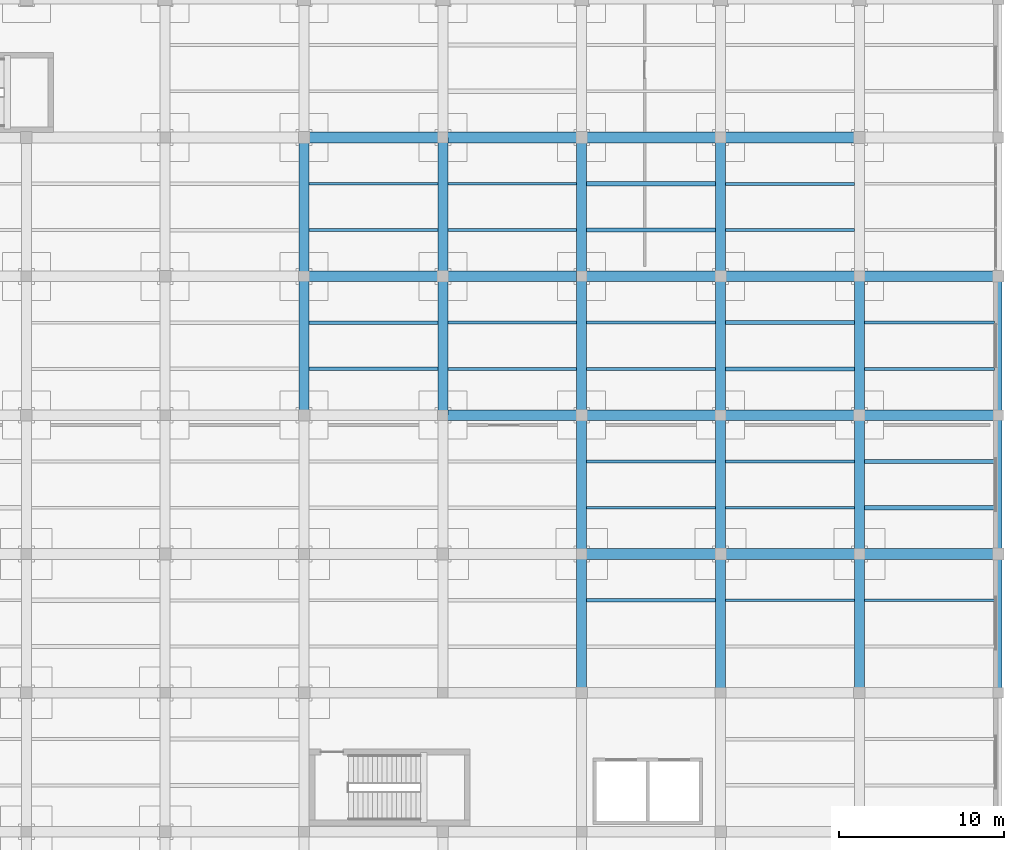
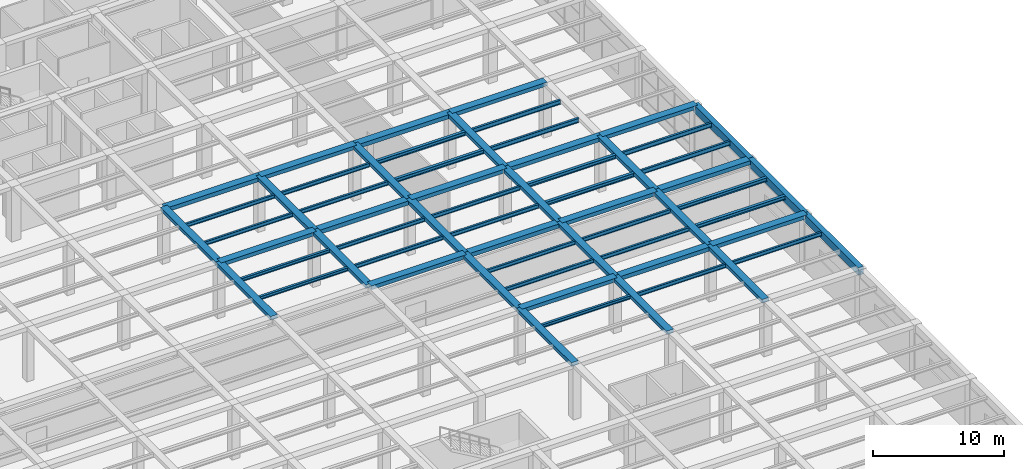
# One storey, part 53 of 96: 61 beams.
"""IFC4 building model written with IfcOpenShell, lengths in metres."""

from ifc_helpers import new_model, si_unit, direction, frame, origin, origin_2d, place, context, subcontext, project, spatial, rectangle, i_section, extrude, material, material_profile, profile_set, type_object, element, save


model = new_model("IFC4")

# Units and contexts
model_context = context("Model", 3, precision=1e-05, world=origin(), true_north=direction((0.0, 1.0)))
body_context = subcontext(model_context, "Body", "Model", "MODEL_VIEW")
ifc_project = project(units=[si_unit("LENGTHUNIT", "METRE"), si_unit("AREAUNIT", "SQUARE_METRE"), si_unit("VOLUMEUNIT", "CUBIC_METRE"), si_unit("PLANEANGLEUNIT", "RADIAN"), si_unit("MASSUNIT", "GRAM", prefix="KILO")], contexts=[model_context])

# Site, building, storey
site_placement = place(None, origin())
site = spatial("IfcSite", under=ifc_project, at=site_placement, CompositionType="ELEMENT")
building_placement = place(site_placement, origin())
building = spatial("IfcBuilding", under=site, at=building_placement, Name="Almacenes y Pasaje Nevantli", CompositionType="ELEMENT")
storey_placement = place(building_placement, frame((0.0, 0.0, 6.0)))
storey = spatial("IfcBuildingStorey", under=building, at=storey_placement, Name="L02", CompositionType="ELEMENT", Elevation=6.0)

# Beams
ifc_material_1 = material(Name="Concrete C35/45", Category="concrete")
ifc_material_profile_1 = material_profile(ifc_material_1, rectangle(XDim=0.449951171875, YDim=0.699951171875, at=origin_2d()), Name="RC-BM-450x700")
ifc_profile_set_1 = profile_set([ifc_material_profile_1], Name="Concrete C35/45")
beam_type_1 = type_object("IfcBeamType", Name="BM-RC-450x700", PredefinedType="SPANDREL", material=ifc_profile_set_1)
beam_1_placement = place(storey_placement, frame((168.0, 25.199951171875, 4.75), z_axis=(0.0, 1.0, 0.0), x_axis=(-1.0, 0.0, 0.0)))
element("IfcBeam", 1, at=beam_1_placement, inside=storey, type_object=beam_type_1, Name="L02 North-South Reinforced Concrete Beam #2192", PredefinedType="SPANDREL", context=body_context, shape_type="SweptSolid", body=[
    extrude(rectangle(XDim=0.449951171875, YDim=0.699951171875, at=origin_2d()), origin(), (0.0, 0.0, 1.0), 8.400146484375),
])
for number, where, z_axis, x_axis, name in (
    (2, (168.0, 33.60009765625, 4.75), (0.0, 1.0, 0.0), (-1.0, 0.0, 0.0), "L02 North-South Reinforced Concrete Beam #2193"),
    (3, (168.0, 42.0, 4.75), (0.0, 1.0, 0.0), (-1.0, 0.0, 0.0), "L02 North-South Reinforced Concrete Beam #2194"),
):
    element("IfcBeam", number, at=place(storey_placement, frame(where, z_axis=z_axis, x_axis=x_axis)), inside=storey, type_object=beam_type_1, Name=name, PredefinedType="SPANDREL", context=body_context, shape_type="SweptSolid", body=[
        extrude(rectangle(XDim=0.449951171875, YDim=0.699951171875, at=origin_2d()), origin(), (0.0, 0.0, 1.0), 8.39990234375),
    ])
ifc_material_2 = material(Name="Concrete C35/45", Category="concrete")
ifc_material_profile_2 = material_profile(ifc_material_2, rectangle(XDim=0.60009765625, YDim=0.320068359375, at=origin_2d()), Name="RC-BM-600x320")
ifc_profile_set_2 = profile_set([ifc_material_profile_2], Name="Concrete C35/45")
beam_type_2 = type_object("IfcBeamType", Name="BM-RC-600x320", PredefinedType="BEAM", material=ifc_profile_set_2)
beam_2_placement = place(storey_placement, frame((126.0, 50.39990234375, 4.93994140625), z_axis=(0.0, 1.0, 0.0), x_axis=(-1.0, 0.0, 0.0)))
element("IfcBeam", 4, at=beam_2_placement, inside=storey, type_object=beam_type_2, Name="L02 North-South Reinforced Concrete Beam #2129", PredefinedType="BEAM", context=body_context, shape_type="SweptSolid", body=[
    extrude(rectangle(XDim=0.60009765625, YDim=0.320068359375, at=origin_2d()), origin(), (0.0, 0.0, 1.0), 8.400146484375),
])
for number, where, z_axis, x_axis, name in (
    (5, (134.39990234375, 42.0, 4.93994140625), (0.0, 1.0, 0.0), (-1.0, 0.0, 0.0), "L02 North-South Reinforced Concrete Beam #2140"),
    (6, (142.800048828125, 33.60009765625, 4.93994140625), (0.0, 1.0, 0.0), (-1.0, 0.0, 0.0), "L02 North-South Reinforced Concrete Beam #2152"),
):
    element("IfcBeam", number, at=place(storey_placement, frame(where, z_axis=z_axis, x_axis=x_axis)), inside=storey, type_object=beam_type_2, Name=name, PredefinedType="BEAM", context=body_context, shape_type="SweptSolid", body=[
        extrude(rectangle(XDim=0.60009765625, YDim=0.320068359375, at=origin_2d()), origin(), (0.0, 0.0, 1.0), 8.39990234375),
    ])
for number, where, z_axis, x_axis, name in (
    (7, (142.800048828125, 50.39990234375, 4.93994140625), (0.0, 1.0, 0.0), (-1.0, 0.0, 0.0), "L02 North-South Reinforced Concrete Beam #2154"),
    (8, (151.199951171875, 25.199951171875, 4.93994140625), (0.0, 1.0, 0.0), (-1.0, 0.0, 0.0), "L02 North-South Reinforced Concrete Beam #2165"),
):
    element("IfcBeam", number, at=place(storey_placement, frame(where, z_axis=z_axis, x_axis=x_axis)), inside=storey, type_object=beam_type_2, Name=name, PredefinedType="BEAM", context=body_context, shape_type="SweptSolid", body=[
        extrude(rectangle(XDim=0.60009765625, YDim=0.320068359375, at=origin_2d()), origin(), (0.0, 0.0, 1.0), 8.400146484375),
    ])
for number, where, z_axis, x_axis, name in (
    (9, (151.199951171875, 42.0, 4.93994140625), (0.0, 1.0, 0.0), (-1.0, 0.0, 0.0), "L02 North-South Reinforced Concrete Beam #2167"),
    (10, (159.60009765625, 33.60009765625, 4.93994140625), (0.0, 1.0, 0.0), (-1.0, 0.0, 0.0), "L02 North-South Reinforced Concrete Beam #2179"),
):
    element("IfcBeam", number, at=place(storey_placement, frame(where, z_axis=z_axis, x_axis=x_axis)), inside=storey, type_object=beam_type_2, Name=name, PredefinedType="BEAM", context=body_context, shape_type="SweptSolid", body=[
        extrude(rectangle(XDim=0.60009765625, YDim=0.320068359375, at=origin_2d()), origin(), (0.0, 0.0, 1.0), 8.39990234375),
    ])
ifc_material_3 = material(Name="Concrete C35/45", Category="concrete")
ifc_material_profile_3 = material_profile(ifc_material_3, rectangle(XDim=0.60009765625, YDim=0.340087890625, at=origin_2d()), Name="RC-BM-600x340")
ifc_profile_set_3 = profile_set([ifc_material_profile_3], Name="Concrete C35/45")
beam_type_3 = type_object("IfcBeamType", Name="BM-RC-600x340", PredefinedType="BEAM", material=ifc_profile_set_3)
beam_3_placement = place(storey_placement, frame((126.0, 42.0, 4.929931640625), z_axis=(0.0, 1.0, 0.0), x_axis=(-1.0, 0.0, 0.0)))
element("IfcBeam", 11, at=beam_3_placement, inside=storey, type_object=beam_type_3, Name="L02 North-South Reinforced Concrete Beam #2128", PredefinedType="BEAM", context=body_context, shape_type="SweptSolid", body=[
    extrude(rectangle(XDim=0.60009765625, YDim=0.340087890625, at=origin_2d()), origin(), (0.0, 0.0, 1.0), 8.39990234375),
])
for number, where, z_axis, x_axis, name in (
    (12, (134.39990234375, 50.39990234375, 4.929931640625), (0.0, 1.0, 0.0), (-1.0, 0.0, 0.0), "L02 North-South Reinforced Concrete Beam #2141"),
    (13, (142.800048828125, 25.199951171875, 4.929931640625), (0.0, 1.0, 0.0), (-1.0, 0.0, 0.0), "L02 North-South Reinforced Concrete Beam #2151"),
):
    element("IfcBeam", number, at=place(storey_placement, frame(where, z_axis=z_axis, x_axis=x_axis)), inside=storey, type_object=beam_type_3, Name=name, PredefinedType="BEAM", context=body_context, shape_type="SweptSolid", body=[
        extrude(rectangle(XDim=0.60009765625, YDim=0.340087890625, at=origin_2d()), origin(), (0.0, 0.0, 1.0), 8.400146484375),
    ])
for number, where, z_axis, x_axis, name in (
    (14, (142.800048828125, 42.0, 4.929931640625), (0.0, 1.0, 0.0), (-1.0, 0.0, 0.0), "L02 North-South Reinforced Concrete Beam #2153"),
    (15, (151.199951171875, 33.60009765625, 4.929931640625), (0.0, 1.0, 0.0), (-1.0, 0.0, 0.0), "L02 North-South Reinforced Concrete Beam #2166"),
):
    element("IfcBeam", number, at=place(storey_placement, frame(where, z_axis=z_axis, x_axis=x_axis)), inside=storey, type_object=beam_type_3, Name=name, PredefinedType="BEAM", context=body_context, shape_type="SweptSolid", body=[
        extrude(rectangle(XDim=0.60009765625, YDim=0.340087890625, at=origin_2d()), origin(), (0.0, 0.0, 1.0), 8.39990234375),
    ])
for number, where, z_axis, x_axis, name in (
    (16, (151.199951171875, 50.39990234375, 4.929931640625), (0.0, 1.0, 0.0), (-1.0, 0.0, 0.0), "L02 North-South Reinforced Concrete Beam #2168"),
    (17, (159.60009765625, 25.199951171875, 4.929931640625), (0.0, 1.0, 0.0), (-1.0, 0.0, 0.0), "L02 North-South Reinforced Concrete Beam #2178"),
):
    element("IfcBeam", number, at=place(storey_placement, frame(where, z_axis=z_axis, x_axis=x_axis)), inside=storey, type_object=beam_type_3, Name=name, PredefinedType="BEAM", context=body_context, shape_type="SweptSolid", body=[
        extrude(rectangle(XDim=0.60009765625, YDim=0.340087890625, at=origin_2d()), origin(), (0.0, 0.0, 1.0), 8.400146484375),
    ])
beam_4_placement = place(storey_placement, frame((159.60009765625, 42.0, 4.929931640625), z_axis=(0.0, 1.0, 0.0), x_axis=(-1.0, 0.0, 0.0)))
element("IfcBeam", 18, at=beam_4_placement, inside=storey, type_object=beam_type_3, Name="L02 North-South Reinforced Concrete Beam #2180", PredefinedType="BEAM", context=body_context, shape_type="SweptSolid", body=[
    extrude(rectangle(XDim=0.60009765625, YDim=0.340087890625, at=origin_2d()), origin(), (0.0, 0.0, 1.0), 8.39990234375),
])
ifc_material_4 = material(Name="Concrete C35/45", Category="concrete")
ifc_material_profile_4 = material_profile(ifc_material_4, rectangle(XDim=0.64990234375, YDim=0.35009765625, at=origin_2d()), Name="RC-BM-650x350")
ifc_profile_set_4 = profile_set([ifc_material_profile_4], Name="Concrete C35/45")
beam_type_4 = type_object("IfcBeamType", Name="BM-RC-650x350", PredefinedType="BEAM", material=ifc_profile_set_4)
for number, where, z_axis, x_axis, name in (
    (19, (142.800048828125, 33.60009765625, 4.925048828125), (1.0, 0.0, 0.0), (0.0, 1.0, 0.0), "L02 East-West Reinforced Concrete Beam #1799"),
    (20, (159.60009765625, 33.60009765625, 4.925048828125), (1.0, 0.0, 0.0), (0.0, 1.0, 0.0), "L02 East-West Reinforced Concrete Beam #1801"),
):
    element("IfcBeam", number, at=place(storey_placement, frame(where, z_axis=z_axis, x_axis=x_axis)), inside=storey, type_object=beam_type_4, Name=name, PredefinedType="BEAM", context=body_context, shape_type="SweptSolid", body=[
        extrude(rectangle(XDim=0.64990234375, YDim=0.35009765625, at=origin_2d()), origin(), (0.0, 0.0, 1.0), 8.39990234375),
    ])
for number, where, z_axis, x_axis, name in (
    (21, (134.39990234375, 42.0, 4.925048828125), (1.0, 0.0, 0.0), (0.0, 1.0, 0.0), "L02 East-West Reinforced Concrete Beam #1815"),
    (22, (151.199951171875, 42.0, 4.925048828125), (1.0, 0.0, 0.0), (0.0, 1.0, 0.0), "L02 East-West Reinforced Concrete Beam #1817"),
):
    element("IfcBeam", number, at=place(storey_placement, frame(where, z_axis=z_axis, x_axis=x_axis)), inside=storey, type_object=beam_type_4, Name=name, PredefinedType="BEAM", context=body_context, shape_type="SweptSolid", body=[
        extrude(rectangle(XDim=0.64990234375, YDim=0.35009765625, at=origin_2d()), origin(), (0.0, 0.0, 1.0), 8.400146484375),
    ])
for number, where, z_axis, x_axis, name in (
    (23, (126.0, 50.39990234375, 4.925048828125), (1.0, 0.0, 0.0), (0.0, 1.0, 0.0), "L02 East-West Reinforced Concrete Beam #1828"),
    (24, (142.800048828125, 50.39990234375, 4.925048828125), (1.0, 0.0, 0.0), (0.0, 1.0, 0.0), "L02 East-West Reinforced Concrete Beam #1830"),
    (25, (159.60009765625, 50.39990234375, 4.925048828125), (1.0, 0.0, 0.0), (0.0, 1.0, 0.0), "L02 East-West Reinforced Concrete Beam #1832"),
):
    element("IfcBeam", number, at=place(storey_placement, frame(where, z_axis=z_axis, x_axis=x_axis)), inside=storey, type_object=beam_type_4, Name=name, PredefinedType="BEAM", context=body_context, shape_type="SweptSolid", body=[
        extrude(rectangle(XDim=0.64990234375, YDim=0.35009765625, at=origin_2d()), origin(), (0.0, 0.0, 1.0), 8.39990234375),
    ])
for number, where, z_axis, x_axis, name in (
    (26, (134.39990234375, 58.800048828125, 4.925048828125), (1.0, 0.0, 0.0), (0.0, 1.0, 0.0), "L02 East-West Reinforced Concrete Beam #1843"),
    (27, (151.199951171875, 58.800048828125, 4.925048828125), (1.0, 0.0, 0.0), (0.0, 1.0, 0.0), "L02 East-West Reinforced Concrete Beam #1845"),
):
    element("IfcBeam", number, at=place(storey_placement, frame(where, z_axis=z_axis, x_axis=x_axis)), inside=storey, type_object=beam_type_4, Name=name, PredefinedType="BEAM", context=body_context, shape_type="SweptSolid", body=[
        extrude(rectangle(XDim=0.64990234375, YDim=0.35009765625, at=origin_2d()), origin(), (0.0, 0.0, 1.0), 8.400146484375),
    ])
ifc_material_5 = material(Name="Concrete C35/45", Category="concrete")
ifc_material_profile_5 = material_profile(ifc_material_5, rectangle(XDim=0.64990234375, YDim=0.3798828125, at=origin_2d()), Name="RC-BM-650x380")
ifc_profile_set_5 = profile_set([ifc_material_profile_5], Name="Concrete C35/45")
beam_type_5 = type_object("IfcBeamType", Name="BM-RC-650x380", PredefinedType="BEAM", material=ifc_profile_set_5)
beam_5_placement = place(storey_placement, frame((151.199951171875, 33.60009765625, 4.909912109375), z_axis=(1.0, 0.0, 0.0), x_axis=(0.0, 1.0, 0.0)))
element("IfcBeam", 28, at=beam_5_placement, inside=storey, type_object=beam_type_5, Name="L02 East-West Reinforced Concrete Beam #1800", PredefinedType="BEAM", context=body_context, shape_type="SweptSolid", body=[
    extrude(rectangle(XDim=0.64990234375, YDim=0.3798828125, at=origin_2d()), origin(), (0.0, 0.0, 1.0), 8.400146484375),
])
for number, where, z_axis, x_axis, name in (
    (29, (142.800048828125, 42.0, 4.909912109375), (1.0, 0.0, 0.0), (0.0, 1.0, 0.0), "L02 East-West Reinforced Concrete Beam #1816"),
    (30, (159.60009765625, 42.0, 4.909912109375), (1.0, 0.0, 0.0), (0.0, 1.0, 0.0), "L02 East-West Reinforced Concrete Beam #1818"),
):
    element("IfcBeam", number, at=place(storey_placement, frame(where, z_axis=z_axis, x_axis=x_axis)), inside=storey, type_object=beam_type_5, Name=name, PredefinedType="BEAM", context=body_context, shape_type="SweptSolid", body=[
        extrude(rectangle(XDim=0.64990234375, YDim=0.3798828125, at=origin_2d()), origin(), (0.0, 0.0, 1.0), 8.39990234375),
    ])
for number, where, z_axis, x_axis, name in (
    (31, (134.39990234375, 50.39990234375, 4.909912109375), (1.0, 0.0, 0.0), (0.0, 1.0, 0.0), "L02 East-West Reinforced Concrete Beam #1829"),
    (32, (151.199951171875, 50.39990234375, 4.909912109375), (1.0, 0.0, 0.0), (0.0, 1.0, 0.0), "L02 East-West Reinforced Concrete Beam #1831"),
):
    element("IfcBeam", number, at=place(storey_placement, frame(where, z_axis=z_axis, x_axis=x_axis)), inside=storey, type_object=beam_type_5, Name=name, PredefinedType="BEAM", context=body_context, shape_type="SweptSolid", body=[
        extrude(rectangle(XDim=0.64990234375, YDim=0.3798828125, at=origin_2d()), origin(), (0.0, 0.0, 1.0), 8.400146484375),
    ])
for number, where, z_axis, x_axis, name in (
    (33, (126.0, 58.800048828125, 4.909912109375), (1.0, 0.0, 0.0), (0.0, 1.0, 0.0), "L02 East-West Reinforced Concrete Beam #1842"),
    (34, (142.800048828125, 58.800048828125, 4.909912109375), (1.0, 0.0, 0.0), (0.0, 1.0, 0.0), "L02 East-West Reinforced Concrete Beam #1844"),
):
    element("IfcBeam", number, at=place(storey_placement, frame(where, z_axis=z_axis, x_axis=x_axis)), inside=storey, type_object=beam_type_5, Name=name, PredefinedType="BEAM", context=body_context, shape_type="SweptSolid", body=[
        extrude(rectangle(XDim=0.64990234375, YDim=0.3798828125, at=origin_2d()), origin(), (0.0, 0.0, 1.0), 8.39990234375),
    ])
ifc_material_6 = material(Name="Steel ASTM A992", Category="steel")
ifc_material_profile_6 = material_profile(ifc_material_6, i_section(OverallWidth=0.205078125, OverallDepth=0.31005859375, WebThickness=0.009521484375, FlangeThickness=0.016357421875, at=origin_2d()), Name="IR 305x74.4")
ifc_profile_set_6 = profile_set([ifc_material_profile_6], Name="Steel ASTM A992")
beam_type_6 = type_object("IfcBeamType", Name="BM-STL-IR-305x74p4", PredefinedType="JOIST", material=ifc_profile_set_6)
for number, where, z_axis, x_axis, name in (
    (35, (126.300048828125, 44.800048828125, 4.93701171875), (1.0, 0.0, 0.0), (0.0, 1.0, 0.0), "L02 Secondary Steel Floor Joist #565"),
    (36, (126.300048828125, 47.60009765625, 4.93701171875), (1.0, 0.0, 0.0), (0.0, 1.0, 0.0), "L02 Secondary Steel Floor Joist #566"),
):
    element("IfcBeam", number, at=place(storey_placement, frame(where, z_axis=z_axis, x_axis=x_axis)), inside=storey, type_object=beam_type_6, Name=name, PredefinedType="JOIST", context=body_context, shape_type="SweptSolid", body=[
        extrude(i_section(OverallWidth=0.205078125, OverallDepth=0.31005859375, WebThickness=0.009521484375, FlangeThickness=0.016357421875, at=origin_2d()), origin(), (0.0, 0.0, 1.0), 7.800048828125),
    ])
beam_6_placement = place(storey_placement, frame((143.10009765625, 30.800048828125, 4.93701171875), z_axis=(1.0, 0.0, 0.0), x_axis=(0.0, 1.0, 0.0)))
element("IfcBeam", 37, at=beam_6_placement, inside=storey, type_object=beam_type_6, Name="L02 Secondary Steel Floor Joist #604", PredefinedType="JOIST", context=body_context, shape_type="SweptSolid", body=[
    extrude(i_section(OverallWidth=0.205078125, OverallDepth=0.31005859375, WebThickness=0.009521484375, FlangeThickness=0.016357421875, at=origin_2d()), origin(), (0.0, 0.0, 1.0), 7.7998046875),
])
ifc_material_7 = material(Name="Steel ASTM A992", Category="steel")
ifc_material_profile_7 = material_profile(ifc_material_7, i_section(OverallWidth=0.173095703125, OverallDepth=0.35302734375, WebThickness=0.0078125, FlangeThickness=0.01318359375, at=origin_2d()), Name="IR 356x56.6")
ifc_profile_set_7 = profile_set([ifc_material_profile_7], Name="Steel ASTM A992")
beam_type_7 = type_object("IfcBeamType", Name="BM-STL-IR-356x56p6", PredefinedType="JOIST", material=ifc_profile_set_7)
for number, where, z_axis, x_axis, name in (
    (38, (126.300048828125, 53.199951171875, 4.91552734375), (1.0, 0.0, 0.0), (0.0, 1.0, 0.0), "L02 Secondary Steel Floor Joist #567"),
    (39, (126.300048828125, 56.0, 4.91552734375), (1.0, 0.0, 0.0), (0.0, 1.0, 0.0), "L02 Secondary Steel Floor Joist #568"),
    (40, (134.699951171875, 44.800048828125, 4.91552734375), (1.0, 0.0, 0.0), (0.0, 1.0, 0.0), "L02 Secondary Steel Floor Joist #585"),
    (41, (134.699951171875, 47.60009765625, 4.91552734375), (1.0, 0.0, 0.0), (0.0, 1.0, 0.0), "L02 Secondary Steel Floor Joist #586"),
):
    element("IfcBeam", number, at=place(storey_placement, frame(where, z_axis=z_axis, x_axis=x_axis)), inside=storey, type_object=beam_type_7, Name=name, PredefinedType="JOIST", context=body_context, shape_type="SweptSolid", body=[
        extrude(i_section(OverallWidth=0.173095703125, OverallDepth=0.35302734375, WebThickness=0.0078125, FlangeThickness=0.01318359375, at=origin_2d()), origin(), (0.0, 0.0, 1.0), 7.800048828125),
    ])
for number, where, z_axis, x_axis, name in (
    (42, (143.10009765625, 36.39990234375, 4.91552734375), (1.0, 0.0, 0.0), (0.0, 1.0, 0.0), "L02 Secondary Steel Floor Joist #605"),
    (43, (143.10009765625, 39.199951171875, 4.91552734375), (1.0, 0.0, 0.0), (0.0, 1.0, 0.0), "L02 Secondary Steel Floor Joist #606"),
):
    element("IfcBeam", number, at=place(storey_placement, frame(where, z_axis=z_axis, x_axis=x_axis)), inside=storey, type_object=beam_type_7, Name=name, PredefinedType="JOIST", context=body_context, shape_type="SweptSolid", body=[
        extrude(i_section(OverallWidth=0.173095703125, OverallDepth=0.35302734375, WebThickness=0.0078125, FlangeThickness=0.01318359375, at=origin_2d()), origin(), (0.0, 0.0, 1.0), 7.7998046875),
    ])
beam_7_placement = place(storey_placement, frame((151.5, 30.800048828125, 4.91552734375), z_axis=(1.0, 0.0, 0.0), x_axis=(0.0, 1.0, 0.0)))
element("IfcBeam", 44, at=beam_7_placement, inside=storey, type_object=beam_type_7, Name="L02 Secondary Steel Floor Joist #630", PredefinedType="JOIST", context=body_context, shape_type="SweptSolid", body=[
    extrude(i_section(OverallWidth=0.173095703125, OverallDepth=0.35302734375, WebThickness=0.0078125, FlangeThickness=0.01318359375, at=origin_2d()), origin(), (0.0, 0.0, 1.0), 7.800048828125),
])
ifc_material_8 = material(Name="Steel ASTM A992", Category="steel")
ifc_material_profile_8 = material_profile(ifc_material_8, i_section(OverallWidth=0.173095703125, OverallDepth=0.364013671875, WebThickness=0.009033203125, FlangeThickness=0.015625, at=origin_2d()), Name="IR 356x67.0")
ifc_profile_set_8 = profile_set([ifc_material_profile_8], Name="Steel ASTM A992")
beam_type_8 = type_object("IfcBeamType", Name="BM-STL-IR-356x67p0", PredefinedType="JOIST", material=ifc_profile_set_8)
for number, where, z_axis, x_axis, name in (
    (45, (134.699951171875, 53.199951171875, 4.909912109375), (1.0, 0.0, 0.0), (0.0, 1.0, 0.0), "L02 Secondary Steel Floor Joist #587"),
    (46, (134.699951171875, 56.0, 4.909912109375), (1.0, 0.0, 0.0), (0.0, 1.0, 0.0), "L02 Secondary Steel Floor Joist #588"),
):
    element("IfcBeam", number, at=place(storey_placement, frame(where, z_axis=z_axis, x_axis=x_axis)), inside=storey, type_object=beam_type_8, Name=name, PredefinedType="JOIST", context=body_context, shape_type="SweptSolid", body=[
        extrude(i_section(OverallWidth=0.173095703125, OverallDepth=0.364013671875, WebThickness=0.009033203125, FlangeThickness=0.015625, at=origin_2d()), origin(), (0.0, 0.0, 1.0), 7.800048828125),
    ])
for number, where, z_axis, x_axis, name in (
    (47, (143.10009765625, 44.800048828125, 4.909912109375), (1.0, 0.0, 0.0), (0.0, 1.0, 0.0), "L02 Secondary Steel Floor Joist #607"),
    (48, (143.10009765625, 47.60009765625, 4.909912109375), (1.0, 0.0, 0.0), (0.0, 1.0, 0.0), "L02 Secondary Steel Floor Joist #608"),
):
    element("IfcBeam", number, at=place(storey_placement, frame(where, z_axis=z_axis, x_axis=x_axis)), inside=storey, type_object=beam_type_8, Name=name, PredefinedType="JOIST", context=body_context, shape_type="SweptSolid", body=[
        extrude(i_section(OverallWidth=0.173095703125, OverallDepth=0.364013671875, WebThickness=0.009033203125, FlangeThickness=0.015625, at=origin_2d()), origin(), (0.0, 0.0, 1.0), 7.7998046875),
    ])
for number, where, z_axis, x_axis, name in (
    (49, (151.5, 36.39990234375, 4.909912109375), (1.0, 0.0, 0.0), (0.0, 1.0, 0.0), "L02 Secondary Steel Floor Joist #631"),
    (50, (151.5, 39.199951171875, 4.909912109375), (1.0, 0.0, 0.0), (0.0, 1.0, 0.0), "L02 Secondary Steel Floor Joist #632"),
):
    element("IfcBeam", number, at=place(storey_placement, frame(where, z_axis=z_axis, x_axis=x_axis)), inside=storey, type_object=beam_type_8, Name=name, PredefinedType="JOIST", context=body_context, shape_type="SweptSolid", body=[
        extrude(i_section(OverallWidth=0.173095703125, OverallDepth=0.364013671875, WebThickness=0.009033203125, FlangeThickness=0.015625, at=origin_2d()), origin(), (0.0, 0.0, 1.0), 7.800048828125),
    ])
beam_8_placement = place(storey_placement, frame((159.89990234375, 30.800048828125, 4.909912109375), z_axis=(1.0, 0.0, 0.0), x_axis=(0.0, 1.0, 0.0)))
element("IfcBeam", 51, at=beam_8_placement, inside=storey, type_object=beam_type_8, Name="L02 Secondary Steel Floor Joist #656", PredefinedType="JOIST", context=body_context, shape_type="SweptSolid", body=[
    extrude(i_section(OverallWidth=0.173095703125, OverallDepth=0.364013671875, WebThickness=0.009033203125, FlangeThickness=0.015625, at=origin_2d()), origin(), (0.0, 0.0, 1.0), 7.875),
])
ifc_material_9 = material(Name="Steel ASTM A992", Category="steel")
ifc_material_profile_9 = material_profile(ifc_material_9, i_section(OverallWidth=0.25390625, OverallDepth=0.35595703125, WebThickness=0.009521484375, FlangeThickness=0.016357421875, at=origin_2d()), Name="IR 356x79.0")
ifc_profile_set_9 = profile_set([ifc_material_profile_9], Name="Steel ASTM A992")
beam_type_9 = type_object("IfcBeamType", Name="BM-STL-IR-356x79p0", PredefinedType="JOIST", material=ifc_profile_set_9)
for number, where, z_axis, x_axis, name in (
    (52, (143.10009765625, 53.199951171875, 4.9140625), (1.0, 0.0, 0.0), (0.0, 1.0, 0.0), "L02 Secondary Steel Floor Joist #609"),
    (53, (143.10009765625, 56.0, 4.9140625), (1.0, 0.0, 0.0), (0.0, 1.0, 0.0), "L02 Secondary Steel Floor Joist #610"),
):
    element("IfcBeam", number, at=place(storey_placement, frame(where, z_axis=z_axis, x_axis=x_axis)), inside=storey, type_object=beam_type_9, Name=name, PredefinedType="JOIST", context=body_context, shape_type="SweptSolid", body=[
        extrude(i_section(OverallWidth=0.25390625, OverallDepth=0.35595703125, WebThickness=0.009521484375, FlangeThickness=0.016357421875, at=origin_2d()), origin(), (0.0, 0.0, 1.0), 7.7998046875),
    ])
for number, where, z_axis, x_axis, name in (
    (54, (151.5, 44.800048828125, 4.9140625), (1.0, 0.0, 0.0), (0.0, 1.0, 0.0), "L02 Secondary Steel Floor Joist #633"),
    (55, (151.5, 47.60009765625, 4.9140625), (1.0, 0.0, 0.0), (0.0, 1.0, 0.0), "L02 Secondary Steel Floor Joist #634"),
):
    element("IfcBeam", number, at=place(storey_placement, frame(where, z_axis=z_axis, x_axis=x_axis)), inside=storey, type_object=beam_type_9, Name=name, PredefinedType="JOIST", context=body_context, shape_type="SweptSolid", body=[
        extrude(i_section(OverallWidth=0.25390625, OverallDepth=0.35595703125, WebThickness=0.009521484375, FlangeThickness=0.016357421875, at=origin_2d()), origin(), (0.0, 0.0, 1.0), 7.800048828125),
    ])
for number, where, z_axis, x_axis, name in (
    (56, (159.89990234375, 36.39990234375, 4.9140625), (1.0, 0.0, 0.0), (0.0, 1.0, 0.0), "L02 Secondary Steel Floor Joist #657"),
    (57, (159.89990234375, 39.199951171875, 4.9140625), (1.0, 0.0, 0.0), (0.0, 1.0, 0.0), "L02 Secondary Steel Floor Joist #658"),
):
    element("IfcBeam", number, at=place(storey_placement, frame(where, z_axis=z_axis, x_axis=x_axis)), inside=storey, type_object=beam_type_9, Name=name, PredefinedType="JOIST", context=body_context, shape_type="SweptSolid", body=[
        extrude(i_section(OverallWidth=0.25390625, OverallDepth=0.35595703125, WebThickness=0.009521484375, FlangeThickness=0.016357421875, at=origin_2d()), origin(), (0.0, 0.0, 1.0), 7.875),
    ])
ifc_material_10 = material(Name="Steel ASTM A992", Category="steel")
ifc_material_profile_10 = material_profile(ifc_material_10, i_section(OverallWidth=0.178955078125, OverallDepth=0.406005859375, WebThickness=0.0087890625, FlangeThickness=0.014404296875, at=origin_2d()), Name="IR 406x67.0")
ifc_profile_set_10 = profile_set([ifc_material_profile_10], Name="Steel ASTM A992")
beam_type_10 = type_object("IfcBeamType", Name="BM-STL-IR-406x67p0", PredefinedType="JOIST", material=ifc_profile_set_10)
for number, where, z_axis, x_axis, name in (
    (58, (151.5, 53.199951171875, 4.888916015625), (1.0, 0.0, 0.0), (0.0, 1.0, 0.0), "L02 Secondary Steel Floor Joist #635"),
    (59, (151.5, 56.0, 4.888916015625), (1.0, 0.0, 0.0), (0.0, 1.0, 0.0), "L02 Secondary Steel Floor Joist #636"),
):
    element("IfcBeam", number, at=place(storey_placement, frame(where, z_axis=z_axis, x_axis=x_axis)), inside=storey, type_object=beam_type_10, Name=name, PredefinedType="JOIST", context=body_context, shape_type="SweptSolid", body=[
        extrude(i_section(OverallWidth=0.178955078125, OverallDepth=0.406005859375, WebThickness=0.0087890625, FlangeThickness=0.014404296875, at=origin_2d()), origin(), (0.0, 0.0, 1.0), 7.800048828125),
    ])
for number, where, z_axis, x_axis, name in (
    (60, (159.89990234375, 44.800048828125, 4.888916015625), (1.0, 0.0, 0.0), (0.0, 1.0, 0.0), "L02 Secondary Steel Floor Joist #659"),
    (61, (159.89990234375, 47.60009765625, 4.888916015625), (1.0, 0.0, 0.0), (0.0, 1.0, 0.0), "L02 Secondary Steel Floor Joist #660"),
):
    element("IfcBeam", number, at=place(storey_placement, frame(where, z_axis=z_axis, x_axis=x_axis)), inside=storey, type_object=beam_type_10, Name=name, PredefinedType="JOIST", context=body_context, shape_type="SweptSolid", body=[
        extrude(i_section(OverallWidth=0.178955078125, OverallDepth=0.406005859375, WebThickness=0.0087890625, FlangeThickness=0.014404296875, at=origin_2d()), origin(), (0.0, 0.0, 1.0), 7.875),
    ])

save(model, "model.ifc")
